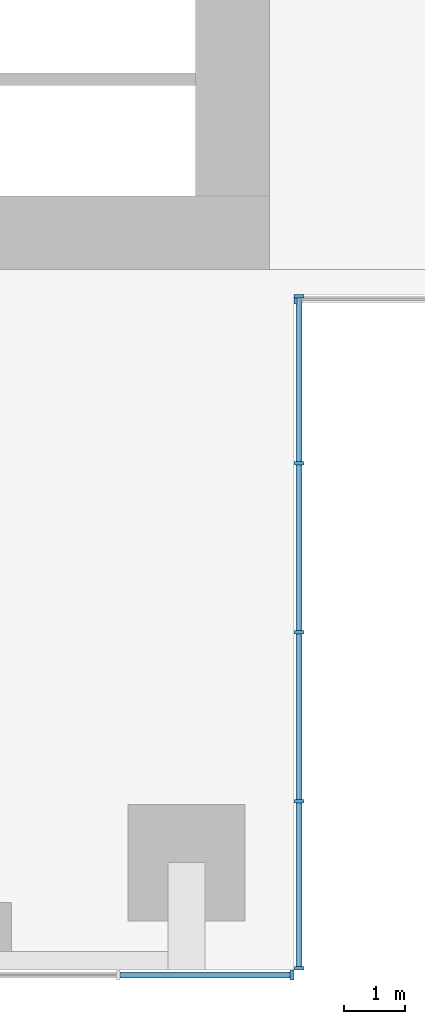
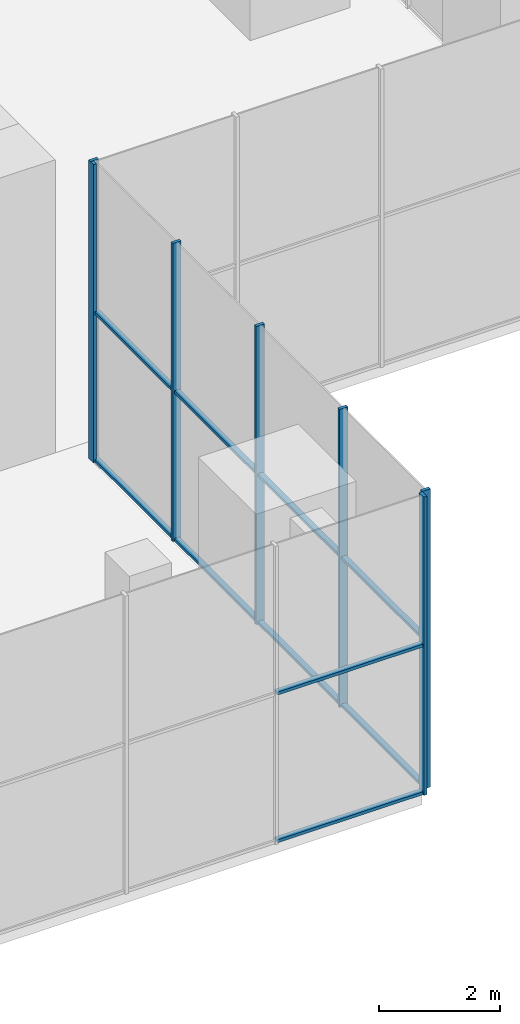
# One storey, part 3 of 11: 17 members, 3 elements without a shape of their own.
"""IFC4 building model written with IfcOpenShell, lengths in metres."""

from ifc_helpers import new_model, si_unit, direction, frame, origin, origin_2d, place, context, subcontext, project, spatial, rectangle, extrude, material, material_profile, profile_set, type_object, element, aggregate, save


model = new_model("IFC4")

# Units and contexts
model_context = context("Model", 3, precision=1e-05, world=origin(), true_north=direction((0.0, 1.0)))
body_context = subcontext(model_context, "Body", "Model", "MODEL_VIEW")
ifc_project = project(units=[si_unit("LENGTHUNIT", "METRE"), si_unit("AREAUNIT", "SQUARE_METRE"), si_unit("VOLUMEUNIT", "CUBIC_METRE"), si_unit("PLANEANGLEUNIT", "RADIAN"), si_unit("MASSUNIT", "GRAM", prefix="KILO")], contexts=[model_context])

# Site, building, storey
site_placement = place(None, origin())
site = spatial("IfcSite", under=ifc_project, at=site_placement, CompositionType="ELEMENT")
building_placement = place(site_placement, origin())
building = spatial("IfcBuilding", under=site, at=building_placement, Name="Svetlomir Tower", CompositionType="ELEMENT")
storey_placement = place(building_placement, frame((0.0, 0.0, 277.89990234375)))
storey = spatial("IfcBuildingStorey", under=building, at=storey_placement, Name="L66", CompositionType="ELEMENT", Elevation=277.89990234375)

# Curtain wall, member
ifc_material_1 = material(Name="Bronze anodised aluminium curtain wall", Category="aluminium")
curtain_wall_type = type_object("IfcCurtainWallType", Name="CURTAIN WALL CW6 LANTERN", PredefinedType="NOTDEFINED", material=ifc_material_1)
curtain_wall_1_placement = place(storey_placement, origin())
curtain_wall_1 = element("IfcCurtainWall", 1, at=curtain_wall_1_placement, inside=storey, type_object=curtain_wall_type, Name="Curtain wall CW6 L66", PredefinedType="NOTDEFINED")
ifc_material_2 = material(Name="Bronze anodised aluminium", Category="aluminium")
ifc_material_profile_1 = material_profile(ifc_material_2, rectangle(XDim=0.06005859375, YDim=0.159912109375, at=origin_2d()), Name="AL 60x160")
ifc_profile_set_1 = profile_set([ifc_material_profile_1], Name="Bronze anodised aluminium 6063-T6")
member_type_1 = type_object("IfcMemberType", Name="CW6 MULLION 60x160", PredefinedType="MULLION", material=ifc_profile_set_1)
member_1_placement = place(storey_placement, frame((30.969970703125, -0.080078125, 0.0), z_axis=(0.0, 0.0, 1.0), x_axis=(1.0, 0.0, 0.0)))
member_1 = element("IfcMember", 2, at=member_1_placement, type_object=member_type_1, Name="CW6 mullion 8", PredefinedType="MULLION", context=body_context, shape_type="SweptSolid", body=[
    extrude(rectangle(XDim=0.06005859375, YDim=0.159912109375, at=origin_2d()), origin(), (0.0, 0.0, 1.0), 6.0),
])

# Curtain wall, members
curtain_wall_2_placement = place(storey_placement, origin())
curtain_wall_2 = element("IfcCurtainWall", 3, at=curtain_wall_2_placement, inside=storey, type_object=curtain_wall_type, Name="Curtain wall CW6 L66", PredefinedType="NOTDEFINED")
member_2_placement = place(storey_placement, frame((31.080078125, 0.030029296875, 0.0), z_axis=(0.0, 0.0, 1.0), x_axis=(0.0, 1.0, 0.0)))
member_2 = element("IfcMember", 4, at=member_2_placement, type_object=member_type_1, Name="CW6 mullion 1", PredefinedType="MULLION", context=body_context, shape_type="SweptSolid", body=[
    extrude(rectangle(XDim=0.06005859375, YDim=0.159912109375, at=origin_2d()), origin(), (0.0, 0.0, 1.0), 6.0),
])
member_3_placement = place(storey_placement, frame((31.080078125, 2.75, 0.0), z_axis=(0.0, 0.0, 1.0), x_axis=(0.0, 1.0, 0.0)))
member_3 = element("IfcMember", 5, at=member_3_placement, type_object=member_type_1, Name="CW6 mullion 2", PredefinedType="MULLION", context=body_context, shape_type="SweptSolid", body=[
    extrude(rectangle(XDim=0.06005859375, YDim=0.159912109375, at=origin_2d()), origin(), (0.0, 0.0, 1.0), 6.0),
])
member_4_placement = place(storey_placement, frame((31.080078125, 5.5, 0.0), z_axis=(0.0, 0.0, 1.0), x_axis=(0.0, 1.0, 0.0)))
member_4 = element("IfcMember", 6, at=member_4_placement, type_object=member_type_1, Name="CW6 mullion 3", PredefinedType="MULLION", context=body_context, shape_type="SweptSolid", body=[
    extrude(rectangle(XDim=0.06005859375, YDim=0.159912109375, at=origin_2d()), origin(), (0.0, 0.0, 1.0), 6.0),
])
member_5_placement = place(storey_placement, frame((31.080078125, 8.25, 0.0), z_axis=(0.0, 0.0, 1.0), x_axis=(0.0, 1.0, 0.0)))
member_5 = element("IfcMember", 7, at=member_5_placement, type_object=member_type_1, Name="CW6 mullion 4", PredefinedType="MULLION", context=body_context, shape_type="SweptSolid", body=[
    extrude(rectangle(XDim=0.06005859375, YDim=0.159912109375, at=origin_2d()), origin(), (0.0, 0.0, 1.0), 6.0),
])
member_6_placement = place(storey_placement, frame((31.080078125, 10.969970703125, 0.0), z_axis=(0.0, 0.0, 1.0), x_axis=(0.0, 1.0, 0.0)))
member_6 = element("IfcMember", 8, at=member_6_placement, type_object=member_type_1, Name="CW6 mullion 5", PredefinedType="MULLION", context=body_context, shape_type="SweptSolid", body=[
    extrude(rectangle(XDim=0.06005859375, YDim=0.159912109375, at=origin_2d()), origin(), (0.0, 0.0, 1.0), 6.0),
])

# Curtain wall, member
curtain_wall_3_placement = place(storey_placement, origin())
curtain_wall_3 = element("IfcCurtainWall", 9, at=curtain_wall_3_placement, inside=storey, type_object=curtain_wall_type, Name="Curtain wall CW6 L66", PredefinedType="NOTDEFINED")
member_7_placement = place(storey_placement, frame((31.030029296875, 10.919921875, 0.0), z_axis=(0.0, 0.0, 1.0), x_axis=(1.0, 0.0, 0.0)))
member_7 = element("IfcMember", 10, at=member_7_placement, type_object=member_type_1, Name="CW6 mullion 1", PredefinedType="MULLION", context=body_context, shape_type="SweptSolid", body=[
    extrude(rectangle(XDim=0.06005859375, YDim=0.159912109375, at=origin_2d()), origin(), (0.0, 0.0, 1.0), 6.0),
])
aggregate(curtain_wall_3, [member_7])

# Member
ifc_material_3 = material(Name="Bronze anodised aluminium", Category="aluminium")
ifc_material_profile_2 = material_profile(ifc_material_3, rectangle(XDim=0.10009765625, YDim=0.06005859375, at=origin_2d()), Name="AL 100x60")
ifc_profile_set_2 = profile_set([ifc_material_profile_2], Name="Bronze anodised aluminium 6063-T6")
member_type_2 = type_object("IfcMemberType", Name="CW6 TRANSOM 60x100", PredefinedType="USERDEFINED", material=ifc_profile_set_2)
member_8_placement = place(storey_placement, frame((28.1728515625, -0.080078125, 0.030029296875), z_axis=(1.0, 0.0, 0.0), x_axis=(0.0, 1.0, 0.0)))
member_8 = element("IfcMember", 11, at=member_8_placement, type_object=member_type_2, Name="CW6 transom 7.1", ObjectType="TRANSOM", PredefinedType="USERDEFINED", context=body_context, shape_type="SweptSolid", body=[
    extrude(rectangle(XDim=0.10009765625, YDim=0.06005859375, at=origin_2d()), origin(), (0.0, 0.0, 1.0), 2.76708984375),
])

member_9_placement = place(storey_placement, frame((28.1728515625, -0.080078125, 3.0), z_axis=(1.0, 0.0, 0.0), x_axis=(0.0, 1.0, 0.0)))
member_9 = element("IfcMember", 12, at=member_9_placement, type_object=member_type_2, Name="CW6 transom 7.2", ObjectType="TRANSOM", PredefinedType="USERDEFINED", context=body_context, shape_type="SweptSolid", body=[
    extrude(rectangle(XDim=0.10009765625, YDim=0.06005859375, at=origin_2d()), origin(), (0.0, 0.0, 1.0), 2.76708984375),
])

aggregate(curtain_wall_1, [member_1, member_8, member_9])

member_10_placement = place(storey_placement, frame((31.080078125, 0.06005859375, 0.030029296875), z_axis=(0.0, 1.0, 0.0), x_axis=(-1.0, 0.0, 0.0)))
member_10 = element("IfcMember", 13, at=member_10_placement, type_object=member_type_2, Name="CW6 transom 1.1", ObjectType="TRANSOM", PredefinedType="USERDEFINED", context=body_context, shape_type="SweptSolid", body=[
    extrude(rectangle(XDim=0.10009765625, YDim=0.06005859375, at=origin_2d()), origin(), (0.0, 0.0, 1.0), 2.659912109375),
])

member_11_placement = place(storey_placement, frame((31.080078125, 0.06005859375, 3.0), z_axis=(0.0, 1.0, 0.0), x_axis=(-1.0, 0.0, 0.0)))
member_11 = element("IfcMember", 14, at=member_11_placement, type_object=member_type_2, Name="CW6 transom 1.2", ObjectType="TRANSOM", PredefinedType="USERDEFINED", context=body_context, shape_type="SweptSolid", body=[
    extrude(rectangle(XDim=0.10009765625, YDim=0.06005859375, at=origin_2d()), origin(), (0.0, 0.0, 1.0), 2.659912109375),
])

member_12_placement = place(storey_placement, frame((31.080078125, 2.780029296875, 0.030029296875), z_axis=(0.0, 1.0, 0.0), x_axis=(-1.0, 0.0, 0.0)))
member_12 = element("IfcMember", 15, at=member_12_placement, type_object=member_type_2, Name="CW6 transom 2.1", ObjectType="TRANSOM", PredefinedType="USERDEFINED", context=body_context, shape_type="SweptSolid", body=[
    extrude(rectangle(XDim=0.10009765625, YDim=0.06005859375, at=origin_2d()), origin(), (0.0, 0.0, 1.0), 2.68994140625),
])

member_13_placement = place(storey_placement, frame((31.080078125, 2.780029296875, 3.0), z_axis=(0.0, 1.0, 0.0), x_axis=(-1.0, 0.0, 0.0)))
member_13 = element("IfcMember", 16, at=member_13_placement, type_object=member_type_2, Name="CW6 transom 2.2", ObjectType="TRANSOM", PredefinedType="USERDEFINED", context=body_context, shape_type="SweptSolid", body=[
    extrude(rectangle(XDim=0.10009765625, YDim=0.06005859375, at=origin_2d()), origin(), (0.0, 0.0, 1.0), 2.68994140625),
])

member_14_placement = place(storey_placement, frame((31.080078125, 5.530029296875, 0.030029296875), z_axis=(0.0, 1.0, 0.0), x_axis=(-1.0, 0.0, 0.0)))
member_14 = element("IfcMember", 17, at=member_14_placement, type_object=member_type_2, Name="CW6 transom 3.1", ObjectType="TRANSOM", PredefinedType="USERDEFINED", context=body_context, shape_type="SweptSolid", body=[
    extrude(rectangle(XDim=0.10009765625, YDim=0.06005859375, at=origin_2d()), origin(), (0.0, 0.0, 1.0), 2.68994140625),
])

member_15_placement = place(storey_placement, frame((31.080078125, 5.530029296875, 3.0), z_axis=(0.0, 1.0, 0.0), x_axis=(-1.0, 0.0, 0.0)))
member_15 = element("IfcMember", 18, at=member_15_placement, type_object=member_type_2, Name="CW6 transom 3.2", ObjectType="TRANSOM", PredefinedType="USERDEFINED", context=body_context, shape_type="SweptSolid", body=[
    extrude(rectangle(XDim=0.10009765625, YDim=0.06005859375, at=origin_2d()), origin(), (0.0, 0.0, 1.0), 2.68994140625),
])

member_16_placement = place(storey_placement, frame((31.080078125, 8.280029296875, 0.030029296875), z_axis=(0.0, 1.0, 0.0), x_axis=(-1.0, 0.0, 0.0)))
member_16 = element("IfcMember", 19, at=member_16_placement, type_object=member_type_2, Name="CW6 transom 4.1", ObjectType="TRANSOM", PredefinedType="USERDEFINED", context=body_context, shape_type="SweptSolid", body=[
    extrude(rectangle(XDim=0.10009765625, YDim=0.06005859375, at=origin_2d()), origin(), (0.0, 0.0, 1.0), 2.659912109375),
])

member_17_placement = place(storey_placement, frame((31.080078125, 8.280029296875, 3.0), z_axis=(0.0, 1.0, 0.0), x_axis=(-1.0, 0.0, 0.0)))
member_17 = element("IfcMember", 20, at=member_17_placement, type_object=member_type_2, Name="CW6 transom 4.2", ObjectType="TRANSOM", PredefinedType="USERDEFINED", context=body_context, shape_type="SweptSolid", body=[
    extrude(rectangle(XDim=0.10009765625, YDim=0.06005859375, at=origin_2d()), origin(), (0.0, 0.0, 1.0), 2.659912109375),
])

aggregate(curtain_wall_2, [member_2, member_3, member_4, member_5, member_6, member_10, member_11, member_12, member_13, member_14, member_15, member_16, member_17])

save(model, "model.ifc")
